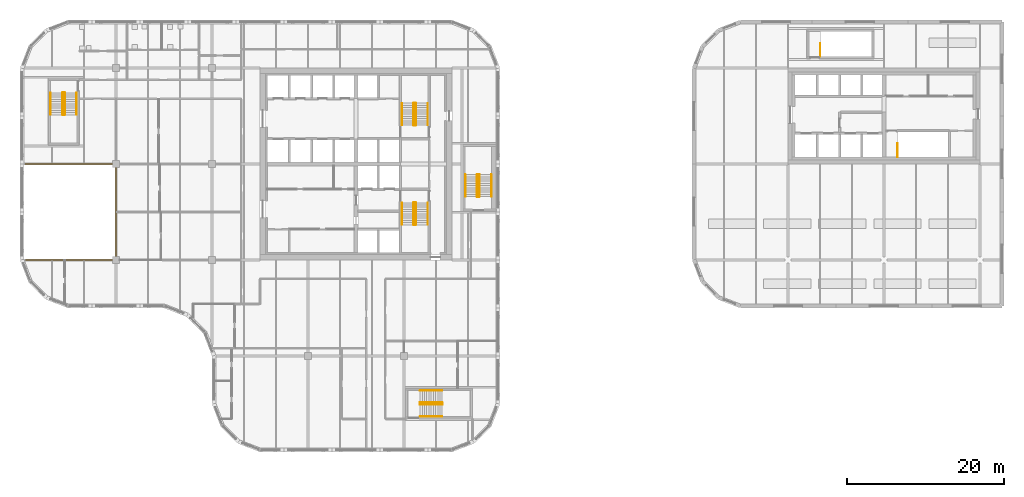
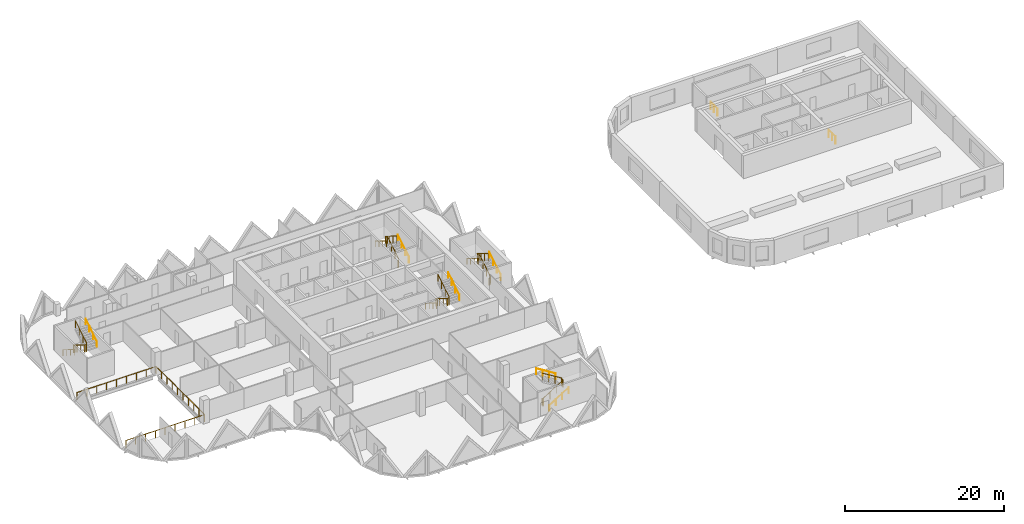
# One storey, part 15 of 17: 18 railings.
"""IFC4 building model written with IfcOpenShell, lengths in metres."""

from ifc_helpers import new_model, si_unit, direction, frame, origin, origin_2d, place, context, subcontext, project, spatial, circle, extrude, material, type_object, element, save


model = new_model("IFC4")

# Units and contexts
model_context = context("Model", 3, precision=1e-05, world=origin(), true_north=direction((0.0, 1.0)))
body_context = subcontext(model_context, "Body", "Model", "MODEL_VIEW")
ifc_project = project(units=[si_unit("LENGTHUNIT", "METRE"), si_unit("AREAUNIT", "SQUARE_METRE"), si_unit("VOLUMEUNIT", "CUBIC_METRE"), si_unit("PLANEANGLEUNIT", "RADIAN"), si_unit("MASSUNIT", "GRAM", prefix="KILO")], contexts=[model_context])

# Site, building, storey
site_placement = place(None, origin())
site = spatial("IfcSite", under=ifc_project, at=site_placement, CompositionType="ELEMENT")
building_placement = place(site_placement, origin())
building = spatial("IfcBuilding", under=site, at=building_placement, Name="Tessera Gate Towers", CompositionType="ELEMENT")
storey_placement = place(building_placement, frame((0.0, 0.0, 112.60009765625)))
storey = spatial("IfcBuildingStorey", under=building, at=storey_placement, Name="L27", CompositionType="ELEMENT", Elevation=112.60009765625)

# Railings
ifc_material_1 = material(Name="Toughened glass with stainless steel handrail", Category="steel")
railing_type_1 = type_object("IfcRailingType", Name="GUARD 1100 GLASS BALUSTRADE", PredefinedType="GUARDRAIL", material=ifc_material_1)
railing_1_placement = place(storey_placement, frame((0.750244140625, 24.39990234375, 0.0)))
element("IfcRailing", 1, at=railing_1_placement, inside=storey, type_object=railing_type_1, Name="Guard", PredefinedType="GUARDRAIL", context=body_context, shape_type="SweptSolid", body=[
    extrude(circle(Radius=0.02490234375, at=origin_2d()), frame((0.0, 0.0, 1.0751953125), z_axis=(1.0, 0.0, 0.0), x_axis=(0.0, 1.0, 0.0)), (0.0, 0.0, 1.0), 11.44970703125),
    extrude(circle(Radius=0.02490234375, at=origin_2d()), frame((11.44970703125, 0.0, 1.0751953125), z_axis=(0.0, 1.0, 0.0), x_axis=(-1.0, 0.0, 0.0)), (0.0, 0.0, 1.0), 12.2001953125),
    extrude(circle(Radius=0.02490234375, at=origin_2d()), frame((11.44970703125, 12.2001953125, 1.0751953125), z_axis=(-1.0, 0.0, 0.0), x_axis=(0.0, -1.0, 0.0)), (0.0, 0.0, 1.0), 11.5),
    extrude(circle(Radius=0.02490234375, at=origin_2d()), origin(), (0.0, 0.0, 1.0), 1.050048828125),
    extrude(circle(Radius=0.02490234375, at=origin_2d()), frame((1.43115234375, 0.0, 0.0)), (0.0, 0.0, 1.0), 1.050048828125),
    extrude(circle(Radius=0.02490234375, at=origin_2d()), frame((2.8623046875, 0.0, 0.0)), (0.0, 0.0, 1.0), 1.050048828125),
    extrude(circle(Radius=0.02490234375, at=origin_2d()), frame((4.293701171875, 0.0, 0.0)), (0.0, 0.0, 1.0), 1.050048828125),
    extrude(circle(Radius=0.02490234375, at=origin_2d()), frame((5.724853515625, 0.0, 0.0)), (0.0, 0.0, 1.0), 1.050048828125),
    extrude(circle(Radius=0.02490234375, at=origin_2d()), frame((7.156005859375, 0.0, 0.0)), (0.0, 0.0, 1.0), 1.050048828125),
    extrude(circle(Radius=0.02490234375, at=origin_2d()), frame((8.58740234375, 0.0, 0.0)), (0.0, 0.0, 1.0), 1.050048828125),
    extrude(circle(Radius=0.02490234375, at=origin_2d()), frame((10.0185546875, 0.0, 0.0)), (0.0, 0.0, 1.0), 1.050048828125),
    extrude(circle(Radius=0.02490234375, at=origin_2d()), frame((11.44970703125, 0.0, 0.0)), (0.0, 0.0, 1.0), 1.050048828125),
    extrude(circle(Radius=0.02490234375, at=origin_2d()), frame((11.44970703125, 1.35546875, 0.0)), (0.0, 0.0, 1.0), 1.050048828125),
    extrude(circle(Radius=0.02490234375, at=origin_2d()), frame((11.44970703125, 2.711181640625, 0.0)), (0.0, 0.0, 1.0), 1.050048828125),
    extrude(circle(Radius=0.02490234375, at=origin_2d()), frame((11.44970703125, 4.066650390625, 0.0)), (0.0, 0.0, 1.0), 1.050048828125),
    extrude(circle(Radius=0.02490234375, at=origin_2d()), frame((11.44970703125, 5.42236328125, 0.0)), (0.0, 0.0, 1.0), 1.050048828125),
    extrude(circle(Radius=0.02490234375, at=origin_2d()), frame((11.44970703125, 6.77783203125, 0.0)), (0.0, 0.0, 1.0), 1.050048828125),
    extrude(circle(Radius=0.02490234375, at=origin_2d()), frame((11.44970703125, 8.133544921875, 0.0)), (0.0, 0.0, 1.0), 1.050048828125),
    extrude(circle(Radius=0.02490234375, at=origin_2d()), frame((11.44970703125, 9.489013671875, 0.0)), (0.0, 0.0, 1.0), 1.050048828125),
    extrude(circle(Radius=0.02490234375, at=origin_2d()), frame((11.44970703125, 10.8447265625, 0.0)), (0.0, 0.0, 1.0), 1.050048828125),
    extrude(circle(Radius=0.02490234375, at=origin_2d()), frame((11.44970703125, 12.2001953125, 0.0)), (0.0, 0.0, 1.0), 1.050048828125),
    extrude(circle(Radius=0.02490234375, at=origin_2d()), frame((10.01220703125, 12.2001953125, 0.0)), (0.0, 0.0, 1.0), 1.050048828125),
    extrude(circle(Radius=0.02490234375, at=origin_2d()), frame((8.57470703125, 12.2001953125, 0.0)), (0.0, 0.0, 1.0), 1.050048828125),
    extrude(circle(Radius=0.02490234375, at=origin_2d()), frame((7.13720703125, 12.2001953125, 0.0)), (0.0, 0.0, 1.0), 1.050048828125),
    extrude(circle(Radius=0.02490234375, at=origin_2d()), frame((5.69970703125, 12.2001953125, 0.0)), (0.0, 0.0, 1.0), 1.050048828125),
    extrude(circle(Radius=0.02490234375, at=origin_2d()), frame((4.26220703125, 12.2001953125, 0.0)), (0.0, 0.0, 1.0), 1.050048828125),
    extrude(circle(Radius=0.02490234375, at=origin_2d()), frame((2.82470703125, 12.2001953125, 0.0)), (0.0, 0.0, 1.0), 1.050048828125),
    extrude(circle(Radius=0.02490234375, at=origin_2d()), frame((1.38720703125, 12.2001953125, 0.0)), (0.0, 0.0, 1.0), 1.050048828125),
    extrude(circle(Radius=0.02490234375, at=origin_2d()), frame((-0.05029296875, 12.2001953125, 0.0)), (0.0, 0.0, 1.0), 1.050048828125),
])
ifc_material_2 = material(Name="Steel 350W", Category="steel")
railing_type_2 = type_object("IfcRailingType", Name="STAIR GUARD 1100", PredefinedType="GUARDRAIL", material=ifc_material_2)
railing_2_placement = place(storey_placement, frame((50.27490234375, 31.72509765625, 0.0)))
element("IfcRailing", 2, at=railing_2_placement, inside=storey, type_object=railing_type_2, Name="L27 ST1 stair guard 1", PredefinedType="GUARDRAIL", context=body_context, shape_type="SweptSolid", body=[
    extrude(circle(Radius=0.02392578125, at=origin_2d()), frame((0.0, 0.0, 1.076171875), z_axis=(-1.0, 0.0, 0.0), x_axis=(0.0, -1.0, 0.0)), (0.0, 0.0, 1.0), 0.199951171875),
    extrude(circle(Radius=0.02392578125, at=origin_2d()), frame((-0.199951171875, 0.0, 1.076171875), z_axis=(-0.268277960024, -0.268277960024, 0.925231793839), x_axis=(0.707106781187, -0.707106781187, 0.0)), (0.0, 0.0, 1.0), 0.1865234375),
    extrude(circle(Radius=0.02392578125, at=origin_2d()), frame((-0.25, -0.050048828125, 1.24853515625), z_axis=(0.0, -0.851089632645, 0.525020415988), x_axis=(1.0, 0.0, 0.0)), (0.0, 0.0, 1.0), 3.2900390625),
    extrude(circle(Radius=0.02392578125, at=origin_2d()), frame((-0.25, -2.85009765625, 2.97607421875), z_axis=(0.707106781187, -0.707106781187, 0.0), x_axis=(0.707106781187, 0.707106781187, 0.0)), (0.0, 0.0, 1.0), 0.07080078125),
    extrude(circle(Radius=0.02392578125, at=origin_2d()), frame((-0.199951171875, -2.900146484375, 2.97607421875), z_axis=(1.0, 0.0, 0.0), x_axis=(0.0, 1.0, 0.0)), (0.0, 0.0, 1.0), 0.199951171875),
    extrude(circle(Radius=0.02392578125, at=origin_2d()), frame((0.0, -2.900146484375, 2.97607421875), z_axis=(0.268277960024, 0.268277960024, 0.925231793839), x_axis=(-0.707106781187, 0.707106781187, 0.0)), (0.0, 0.0, 1.0), 0.1865234375),
    extrude(circle(Radius=0.02392578125, at=origin_2d()), frame((0.050048828125, -2.85009765625, 3.1484375), z_axis=(0.0, 0.851089632645, 0.525020415988), x_axis=(-1.0, 0.0, 0.0)), (0.0, 0.0, 1.0), 3.2900390625),
    extrude(circle(Radius=0.02099609375, at=origin_2d()), origin(), (0.0, 0.0, 1.0), 1.052001953125),
    extrude(circle(Radius=0.02099609375, at=origin_2d()), frame((-0.199951171875, 0.0, 0.0)), (0.0, 0.0, 1.0), 1.052001953125),
    extrude(circle(Radius=0.02099609375, at=origin_2d()), frame((-0.25, -0.050048828125, 0.172607421875)), (0.0, 0.0, 1.0), 1.052001953125),
    extrude(circle(Radius=0.02099609375, at=origin_2d()), frame((-0.25, -0.9833984375, 0.748291015625)), (0.0, 0.0, 1.0), 1.052001953125),
    extrude(circle(Radius=0.02099609375, at=origin_2d()), frame((-0.25, -1.916748046875, 1.32421875)), (0.0, 0.0, 1.0), 1.052001953125),
    extrude(circle(Radius=0.02099609375, at=origin_2d()), frame((-0.25, -2.85009765625, 1.89990234375)), (0.0, 0.0, 1.0), 1.052001953125),
    extrude(circle(Radius=0.02099609375, at=origin_2d()), frame((-0.199951171875, -2.900146484375, 1.89990234375)), (0.0, 0.0, 1.0), 1.052001953125),
    extrude(circle(Radius=0.02099609375, at=origin_2d()), frame((0.0, -2.900146484375, 1.89990234375)), (0.0, 0.0, 1.0), 1.052001953125),
    extrude(circle(Radius=0.02099609375, at=origin_2d()), frame((0.050048828125, -2.85009765625, 2.072509765625)), (0.0, 0.0, 1.0), 1.052001953125),
    extrude(circle(Radius=0.02099609375, at=origin_2d()), frame((0.050048828125, -1.916748046875, 2.648193359375)), (0.0, 0.0, 1.0), 1.052001953125),
    extrude(circle(Radius=0.02099609375, at=origin_2d()), frame((0.050048828125, -0.9833984375, 3.22412109375)), (0.0, 0.0, 1.0), 1.052001953125),
    extrude(circle(Radius=0.02099609375, at=origin_2d()), frame((0.050048828125, -0.050048828125, 3.7998046875)), (0.0, 0.0, 1.0), 1.052001953125),
])
railing_3_placement = place(storey_placement, frame((50.074951171875, 41.47509765625, 0.0)))
element("IfcRailing", 3, at=railing_3_placement, inside=storey, type_object=railing_type_2, Name="L27 ST2 stair guard 1", PredefinedType="GUARDRAIL", context=body_context, shape_type="SweptSolid", body=[
    extrude(circle(Radius=0.02392578125, at=origin_2d()), frame((0.0, 0.0, 1.076171875), z_axis=(1.0, 0.0, 0.0), x_axis=(0.0, 1.0, 0.0)), (0.0, 0.0, 1.0), 0.199951171875),
    extrude(circle(Radius=0.02392578125, at=origin_2d()), frame((0.199951171875, 0.0, 1.076171875), z_axis=(0.268371968888, 0.267062837333, 0.925556009775), x_axis=(-0.705375805398, 0.708833529934, 0.0)), (0.0, 0.0, 1.0), 0.1865234375),
    extrude(circle(Radius=0.02392578125, at=origin_2d()), frame((0.25, 0.0498046875, 1.24853515625), z_axis=(0.0, 0.851089632645, 0.525020415988), x_axis=(-1.0, 0.0, 0.0)), (0.0, 0.0, 1.0), 3.2900390625),
    extrude(circle(Radius=0.02392578125, at=origin_2d()), frame((0.25, 2.849853515625, 2.97607421875), z_axis=(-0.707106781187, 0.707106781187, 0.0), x_axis=(-0.707106781187, -0.707106781187, 0.0)), (0.0, 0.0, 1.0), 0.07080078125),
    extrude(circle(Radius=0.02392578125, at=origin_2d()), frame((0.199951171875, 2.89990234375, 2.97607421875), z_axis=(-1.0, 0.0, 0.0), x_axis=(0.0, -1.0, 0.0)), (0.0, 0.0, 1.0), 0.199951171875),
    extrude(circle(Radius=0.02392578125, at=origin_2d()), frame((0.0, 2.89990234375, 2.97607421875), z_axis=(-0.268277960024, -0.268277960024, 0.925231793839), x_axis=(0.707106781187, -0.707106781187, 0.0)), (0.0, 0.0, 1.0), 0.1865234375),
    extrude(circle(Radius=0.02392578125, at=origin_2d()), frame((-0.050048828125, 2.849853515625, 3.1484375), z_axis=(0.0, -0.851089632645, 0.525020415988), x_axis=(1.0, 0.0, 0.0)), (0.0, 0.0, 1.0), 3.2900390625),
    extrude(circle(Radius=0.02099609375, at=origin_2d()), origin(), (0.0, 0.0, 1.0), 1.052001953125),
    extrude(circle(Radius=0.02099609375, at=origin_2d()), frame((0.199951171875, 0.0, 0.0)), (0.0, 0.0, 1.0), 1.052001953125),
    extrude(circle(Radius=0.02099609375, at=origin_2d()), frame((0.25, 0.0498046875, 0.172607421875)), (0.0, 0.0, 1.0), 1.052001953125),
    extrude(circle(Radius=0.02099609375, at=origin_2d()), frame((0.25, 0.983154296875, 0.748291015625)), (0.0, 0.0, 1.0), 1.052001953125),
    extrude(circle(Radius=0.02099609375, at=origin_2d()), frame((0.25, 1.91650390625, 1.32421875)), (0.0, 0.0, 1.0), 1.052001953125),
    extrude(circle(Radius=0.02099609375, at=origin_2d()), frame((0.25, 2.849853515625, 1.89990234375)), (0.0, 0.0, 1.0), 1.052001953125),
    extrude(circle(Radius=0.02099609375, at=origin_2d()), frame((0.199951171875, 2.89990234375, 1.89990234375)), (0.0, 0.0, 1.0), 1.052001953125),
    extrude(circle(Radius=0.02099609375, at=origin_2d()), frame((0.0, 2.89990234375, 1.89990234375)), (0.0, 0.0, 1.0), 1.052001953125),
    extrude(circle(Radius=0.02099609375, at=origin_2d()), frame((-0.050048828125, 2.849853515625, 2.072509765625)), (0.0, 0.0, 1.0), 1.052001953125),
    extrude(circle(Radius=0.02099609375, at=origin_2d()), frame((-0.050048828125, 1.91650390625, 2.648193359375)), (0.0, 0.0, 1.0), 1.052001953125),
    extrude(circle(Radius=0.02099609375, at=origin_2d()), frame((-0.050048828125, 0.983154296875, 3.22412109375)), (0.0, 0.0, 1.0), 1.052001953125),
    extrude(circle(Radius=0.02099609375, at=origin_2d()), frame((-0.050048828125, 0.0498046875, 3.7998046875)), (0.0, 0.0, 1.0), 1.052001953125),
])
railing_4_placement = place(storey_placement, frame((5.64990234375, 45.699951171875, 0.0)))
element("IfcRailing", 4, at=railing_4_placement, inside=storey, type_object=railing_type_2, Name="L27 ST3 stair guard 1", PredefinedType="GUARDRAIL", context=body_context, shape_type="SweptSolid", body=[
    extrude(circle(Radius=0.02392578125, at=origin_2d()), frame((0.0, 0.0, 1.076171875), z_axis=(-1.0, 0.0, 0.0), x_axis=(0.0, -1.0, 0.0)), (0.0, 0.0, 1.0), 0.199951171875),
    extrude(circle(Radius=0.02392578125, at=origin_2d()), frame((-0.199951171875, 0.0, 1.076171875), z_axis=(-0.268277960024, -0.268277960024, 0.925231793839), x_axis=(0.707106781187, -0.707106781187, 0.0)), (0.0, 0.0, 1.0), 0.1865234375),
    extrude(circle(Radius=0.02392578125, at=origin_2d()), frame((-0.25, -0.050048828125, 1.24853515625), z_axis=(0.0, -0.851069175582, 0.525053576669), x_axis=(1.0, 0.0, 0.0)), (0.0, 0.0, 1.0), 3.289794921875),
    extrude(circle(Radius=0.02392578125, at=origin_2d()), frame((-0.25, -2.849853515625, 2.97607421875), z_axis=(0.707106781187, -0.707106781187, 0.0), x_axis=(0.707106781187, 0.707106781187, 0.0)), (0.0, 0.0, 1.0), 0.07080078125),
    extrude(circle(Radius=0.02392578125, at=origin_2d()), frame((-0.199951171875, -2.89990234375, 2.97607421875), z_axis=(1.0, 0.0, 0.0), x_axis=(0.0, 1.0, 0.0)), (0.0, 0.0, 1.0), 0.199951171875),
    extrude(circle(Radius=0.02392578125, at=origin_2d()), frame((0.0, -2.89990234375, 2.97607421875), z_axis=(0.268277960024, 0.268277960024, 0.925231793839), x_axis=(-0.707106781187, 0.707106781187, 0.0)), (0.0, 0.0, 1.0), 0.1865234375),
    extrude(circle(Radius=0.02392578125, at=origin_2d()), frame((0.050048828125, -2.849853515625, 3.1484375), z_axis=(0.0, 0.851069175582, 0.525053576669), x_axis=(-1.0, 0.0, 0.0)), (0.0, 0.0, 1.0), 3.289794921875),
    extrude(circle(Radius=0.02099609375, at=origin_2d()), origin(), (0.0, 0.0, 1.0), 1.052001953125),
    extrude(circle(Radius=0.02099609375, at=origin_2d()), frame((-0.199951171875, 0.0, 0.0)), (0.0, 0.0, 1.0), 1.052001953125),
    extrude(circle(Radius=0.02099609375, at=origin_2d()), frame((-0.25, -0.050048828125, 0.172607421875)), (0.0, 0.0, 1.0), 1.052001953125),
    extrude(circle(Radius=0.02099609375, at=origin_2d()), frame((-0.25, -0.9833984375, 0.748291015625)), (0.0, 0.0, 1.0), 1.052001953125),
    extrude(circle(Radius=0.02099609375, at=origin_2d()), frame((-0.25, -1.91650390625, 1.32421875)), (0.0, 0.0, 1.0), 1.052001953125),
    extrude(circle(Radius=0.02099609375, at=origin_2d()), frame((-0.25, -2.849853515625, 1.89990234375)), (0.0, 0.0, 1.0), 1.052001953125),
    extrude(circle(Radius=0.02099609375, at=origin_2d()), frame((-0.199951171875, -2.89990234375, 1.89990234375)), (0.0, 0.0, 1.0), 1.052001953125),
    extrude(circle(Radius=0.02099609375, at=origin_2d()), frame((0.0, -2.89990234375, 1.89990234375)), (0.0, 0.0, 1.0), 1.052001953125),
    extrude(circle(Radius=0.02099609375, at=origin_2d()), frame((0.050048828125, -2.849853515625, 2.072509765625)), (0.0, 0.0, 1.0), 1.052001953125),
    extrude(circle(Radius=0.02099609375, at=origin_2d()), frame((0.050048828125, -1.91650390625, 2.648193359375)), (0.0, 0.0, 1.0), 1.052001953125),
    extrude(circle(Radius=0.02099609375, at=origin_2d()), frame((0.050048828125, -0.9833984375, 3.22412109375)), (0.0, 0.0, 1.0), 1.052001953125),
    extrude(circle(Radius=0.02099609375, at=origin_2d()), frame((0.050048828125, -0.050048828125, 3.7998046875)), (0.0, 0.0, 1.0), 1.052001953125),
])
railing_5_placement = place(storey_placement, frame((50.800048828125, 6.25, 0.0)))
element("IfcRailing", 5, at=railing_5_placement, inside=storey, type_object=railing_type_2, Name="L27 ST4 stair guard 1", PredefinedType="GUARDRAIL", context=body_context, shape_type="SweptSolid", body=[
    extrude(circle(Radius=0.02392578125, at=origin_2d()), frame((0.0, 0.0, 1.076171875), z_axis=(0.0, -1.0, 0.0), x_axis=(1.0, 0.0, 0.0)), (0.0, 0.0, 1.0), 0.199951171875),
    extrude(circle(Radius=0.02392578125, at=origin_2d()), frame((0.0, -0.199951171875, 1.076171875), z_axis=(0.268277960024, -0.268277960024, 0.925231793839), x_axis=(0.707106781187, 0.707106781187, 0.0)), (0.0, 0.0, 1.0), 0.1865234375),
    extrude(circle(Radius=0.02392578125, at=origin_2d()), frame((0.050048828125, -0.25, 1.24853515625), z_axis=(0.851069175582, 0.0, 0.525053576669), x_axis=(0.0, 1.0, 0.0)), (0.0, 0.0, 1.0), 3.289794921875),
    extrude(circle(Radius=0.02392578125, at=origin_2d()), frame((2.849853515625, -0.25, 2.97607421875), z_axis=(0.707106781187, 0.707106781187, 0.0), x_axis=(-0.707106781187, 0.707106781187, 0.0)), (0.0, 0.0, 1.0), 0.07080078125),
    extrude(circle(Radius=0.02392578125, at=origin_2d()), frame((2.89990234375, -0.199951171875, 2.97607421875), z_axis=(0.0, 1.0, 0.0), x_axis=(-1.0, 0.0, 0.0)), (0.0, 0.0, 1.0), 0.199951171875),
    extrude(circle(Radius=0.02392578125, at=origin_2d()), frame((2.89990234375, 0.0, 2.97607421875), z_axis=(-0.268277960024, 0.268277960024, 0.925231793839), x_axis=(-0.707106781187, -0.707106781187, 0.0)), (0.0, 0.0, 1.0), 0.1865234375),
    extrude(circle(Radius=0.02392578125, at=origin_2d()), frame((2.849853515625, 0.050048828125, 3.1484375), z_axis=(-0.851069175582, 0.0, 0.525053576669), x_axis=(0.0, -1.0, 0.0)), (0.0, 0.0, 1.0), 3.289794921875),
    extrude(circle(Radius=0.02099609375, at=origin_2d()), origin(), (0.0, 0.0, 1.0), 1.052001953125),
    extrude(circle(Radius=0.02099609375, at=origin_2d()), frame((0.0, -0.199951171875, 0.0)), (0.0, 0.0, 1.0), 1.052001953125),
    extrude(circle(Radius=0.02099609375, at=origin_2d()), frame((0.050048828125, -0.25, 0.172607421875)), (0.0, 0.0, 1.0), 1.052001953125),
    extrude(circle(Radius=0.02099609375, at=origin_2d()), frame((0.9833984375, -0.25, 0.748291015625)), (0.0, 0.0, 1.0), 1.052001953125),
    extrude(circle(Radius=0.02099609375, at=origin_2d()), frame((1.91650390625, -0.25, 1.32421875)), (0.0, 0.0, 1.0), 1.052001953125),
    extrude(circle(Radius=0.02099609375, at=origin_2d()), frame((2.849853515625, -0.25, 1.89990234375)), (0.0, 0.0, 1.0), 1.052001953125),
    extrude(circle(Radius=0.02099609375, at=origin_2d()), frame((2.89990234375, -0.199951171875, 1.89990234375)), (0.0, 0.0, 1.0), 1.052001953125),
    extrude(circle(Radius=0.02099609375, at=origin_2d()), frame((2.89990234375, 0.0, 1.89990234375)), (0.0, 0.0, 1.0), 1.052001953125),
    extrude(circle(Radius=0.02099609375, at=origin_2d()), frame((2.849853515625, 0.050048828125, 2.072509765625)), (0.0, 0.0, 1.0), 1.052001953125),
    extrude(circle(Radius=0.02099609375, at=origin_2d()), frame((1.91650390625, 0.050048828125, 2.648193359375)), (0.0, 0.0, 1.0), 1.052001953125),
    extrude(circle(Radius=0.02099609375, at=origin_2d()), frame((0.9833984375, 0.050048828125, 3.22412109375)), (0.0, 0.0, 1.0), 1.052001953125),
    extrude(circle(Radius=0.02099609375, at=origin_2d()), frame((0.050048828125, 0.050048828125, 3.7998046875)), (0.0, 0.0, 1.0), 1.052001953125),
])
railing_6_placement = place(storey_placement, frame((58.14990234375, 32.39990234375, 0.0)))
element("IfcRailing", 6, at=railing_6_placement, inside=storey, type_object=railing_type_2, Name="L27 ST5 stair guard 1", PredefinedType="GUARDRAIL", context=body_context, shape_type="SweptSolid", body=[
    extrude(circle(Radius=0.02392578125, at=origin_2d()), frame((0.0, 0.0, 1.076171875), z_axis=(1.0, 0.0, 0.0), x_axis=(0.0, 1.0, 0.0)), (0.0, 0.0, 1.0), 0.2001953125),
    extrude(circle(Radius=0.02392578125, at=origin_2d()), frame((0.2001953125, 0.0, 1.076171875), z_axis=(0.267062837333, 0.268371968888, 0.925556009775), x_axis=(-0.708833529934, 0.705375805398, 0.0)), (0.0, 0.0, 1.0), 0.1865234375),
    extrude(circle(Radius=0.02392578125, at=origin_2d()), frame((0.25, 0.050048828125, 1.24853515625), z_axis=(0.0, 0.851089632645, 0.525020415988), x_axis=(-1.0, 0.0, 0.0)), (0.0, 0.0, 1.0), 3.2900390625),
    extrude(circle(Radius=0.02392578125, at=origin_2d()), frame((0.25, 2.85009765625, 2.97607421875), z_axis=(-0.705375805398, 0.708833529934, 0.0), x_axis=(-0.708833529934, -0.705375805398, 0.0)), (0.0, 0.0, 1.0), 0.070556640625),
    extrude(circle(Radius=0.02392578125, at=origin_2d()), frame((0.2001953125, 2.900146484375, 2.97607421875), z_axis=(-1.0, 0.0, 0.0), x_axis=(0.0, -1.0, 0.0)), (0.0, 0.0, 1.0), 0.2001953125),
    extrude(circle(Radius=0.02392578125, at=origin_2d()), frame((0.0, 2.900146484375, 2.97607421875), z_axis=(-0.267062837333, -0.268371968888, 0.925556009775), x_axis=(0.708833529934, -0.705375805398, 0.0)), (0.0, 0.0, 1.0), 0.1865234375),
    extrude(circle(Radius=0.02392578125, at=origin_2d()), frame((-0.0498046875, 2.85009765625, 3.1484375), z_axis=(0.0, -0.851089632645, 0.525020415988), x_axis=(1.0, 0.0, 0.0)), (0.0, 0.0, 1.0), 3.2900390625),
    extrude(circle(Radius=0.02099609375, at=origin_2d()), origin(), (0.0, 0.0, 1.0), 1.052001953125),
    extrude(circle(Radius=0.02099609375, at=origin_2d()), frame((0.2001953125, 0.0, 0.0)), (0.0, 0.0, 1.0), 1.052001953125),
    extrude(circle(Radius=0.02099609375, at=origin_2d()), frame((0.25, 0.050048828125, 0.172607421875)), (0.0, 0.0, 1.0), 1.052001953125),
    extrude(circle(Radius=0.02099609375, at=origin_2d()), frame((0.25, 0.9833984375, 0.748291015625)), (0.0, 0.0, 1.0), 1.052001953125),
    extrude(circle(Radius=0.02099609375, at=origin_2d()), frame((0.25, 1.916748046875, 1.32421875)), (0.0, 0.0, 1.0), 1.052001953125),
    extrude(circle(Radius=0.02099609375, at=origin_2d()), frame((0.25, 2.85009765625, 1.89990234375)), (0.0, 0.0, 1.0), 1.052001953125),
    extrude(circle(Radius=0.02099609375, at=origin_2d()), frame((0.2001953125, 2.900146484375, 1.89990234375)), (0.0, 0.0, 1.0), 1.052001953125),
    extrude(circle(Radius=0.02099609375, at=origin_2d()), frame((0.0, 2.900146484375, 1.89990234375)), (0.0, 0.0, 1.0), 1.052001953125),
    extrude(circle(Radius=0.02099609375, at=origin_2d()), frame((-0.0498046875, 2.85009765625, 2.072509765625)), (0.0, 0.0, 1.0), 1.052001953125),
    extrude(circle(Radius=0.02099609375, at=origin_2d()), frame((-0.0498046875, 1.916748046875, 2.648193359375)), (0.0, 0.0, 1.0), 1.052001953125),
    extrude(circle(Radius=0.02099609375, at=origin_2d()), frame((-0.0498046875, 0.9833984375, 3.22412109375)), (0.0, 0.0, 1.0), 1.052001953125),
    extrude(circle(Radius=0.02099609375, at=origin_2d()), frame((-0.0498046875, 0.050048828125, 3.7998046875)), (0.0, 0.0, 1.0), 1.052001953125),
])
for number, where, name in (
    (7, (111.5, 37.5, 0.0), "L27 ST6 top well guard 1"),
    (8, (101.699951171875, 50.25, 0.0), "L27 ST7 top well guard 1"),
):
    element("IfcRailing", number, at=place(storey_placement, frame(where)), inside=storey, type_object=railing_type_2, Name=name, PredefinedType="GUARDRAIL", context=body_context, shape_type="SweptSolid", body=[
        extrude(circle(Radius=0.02392578125, at=origin_2d()), frame((0.0, 0.0, 1.076171875), z_axis=(0.0, 1.0, 0.0), x_axis=(-1.0, 0.0, 0.0)), (0.0, 0.0, 1.0), 1.699951171875),
        extrude(circle(Radius=0.02099609375, at=origin_2d()), origin(), (0.0, 0.0, 1.0), 1.052001953125),
        extrude(circle(Radius=0.02099609375, at=origin_2d()), frame((0.0, 0.85009765625, 0.0)), (0.0, 0.0, 1.0), 1.052001953125),
        extrude(circle(Radius=0.02099609375, at=origin_2d()), frame((0.0, 1.699951171875, 0.0)), (0.0, 0.0, 1.0), 1.052001953125),
    ])
ifc_material_3 = material(Name="Steel 350W", Category="steel")
railing_type_3 = type_object("IfcRailingType", Name="STAIR HANDRAIL 900", PredefinedType="HANDRAIL", material=ifc_material_3)
railing_7_placement = place(storey_placement, frame((48.52490234375, 31.675048828125, 0.172607421875)))
element("IfcRailing", 9, at=railing_7_placement, inside=storey, type_object=railing_type_3, Name="L27 ST1 stair handrail 1", PredefinedType="HANDRAIL", context=body_context, shape_type="SweptSolid", body=[
    extrude(circle(Radius=0.02392578125, at=origin_2d()), frame((0.0, 0.0, 0.8759765625), z_axis=(0.0, -0.851089632645, 0.525020415988), x_axis=(1.0, 0.0, 0.0)), (0.0, 0.0, 1.0), 3.2900390625),
    extrude(circle(Radius=0.02099609375, at=origin_2d()), origin(), (0.0, 0.0, 1.0), 0.851806640625),
    extrude(circle(Radius=0.02099609375, at=origin_2d()), frame((0.0, -0.933349609375, 0.57568359375)), (0.0, 0.0, 1.0), 0.851806640625),
    extrude(circle(Radius=0.02099609375, at=origin_2d()), frame((0.0, -1.86669921875, 1.151611328125)), (0.0, 0.0, 1.0), 0.851806640625),
    extrude(circle(Radius=0.02099609375, at=origin_2d()), frame((0.0, -2.800048828125, 1.727294921875)), (0.0, 0.0, 1.0), 0.851806640625),
])
for number, where, name in (
    (10, (51.824951171875, 28.875, 2.072509765625), "L27 ST1 stair handrail 2"),
    (11, (51.824951171875, 41.52490234375, 0.172607421875), "L27 ST2 stair handrail 1"),
):
    element("IfcRailing", number, at=place(storey_placement, frame(where)), inside=storey, type_object=railing_type_3, Name=name, PredefinedType="HANDRAIL", context=body_context, shape_type="SweptSolid", body=[
        extrude(circle(Radius=0.02392578125, at=origin_2d()), frame((0.0, 0.0, 0.8759765625), z_axis=(0.0, 0.851089632645, 0.525020415988), x_axis=(-1.0, 0.0, 0.0)), (0.0, 0.0, 1.0), 3.2900390625),
        extrude(circle(Radius=0.02099609375, at=origin_2d()), origin(), (0.0, 0.0, 1.0), 0.851806640625),
        extrude(circle(Radius=0.02099609375, at=origin_2d()), frame((0.0, 0.933349609375, 0.57568359375)), (0.0, 0.0, 1.0), 0.851806640625),
        extrude(circle(Radius=0.02099609375, at=origin_2d()), frame((0.0, 1.86669921875, 1.151611328125)), (0.0, 0.0, 1.0), 0.851806640625),
        extrude(circle(Radius=0.02099609375, at=origin_2d()), frame((0.0, 2.800048828125, 1.727294921875)), (0.0, 0.0, 1.0), 0.851806640625),
    ])
railing_8_placement = place(storey_placement, frame((48.52490234375, 44.324951171875, 2.072509765625)))
element("IfcRailing", 12, at=railing_8_placement, inside=storey, type_object=railing_type_3, Name="L27 ST2 stair handrail 2", PredefinedType="HANDRAIL", context=body_context, shape_type="SweptSolid", body=[
    extrude(circle(Radius=0.02392578125, at=origin_2d()), frame((0.0, 0.0, 0.8759765625), z_axis=(0.0, -0.851089632645, 0.525020415988), x_axis=(1.0, 0.0, 0.0)), (0.0, 0.0, 1.0), 3.2900390625),
    extrude(circle(Radius=0.02099609375, at=origin_2d()), origin(), (0.0, 0.0, 1.0), 0.851806640625),
    extrude(circle(Radius=0.02099609375, at=origin_2d()), frame((0.0, -0.933349609375, 0.57568359375)), (0.0, 0.0, 1.0), 0.851806640625),
    extrude(circle(Radius=0.02099609375, at=origin_2d()), frame((0.0, -1.86669921875, 1.151611328125)), (0.0, 0.0, 1.0), 0.851806640625),
    extrude(circle(Radius=0.02099609375, at=origin_2d()), frame((0.0, -2.800048828125, 1.727294921875)), (0.0, 0.0, 1.0), 0.851806640625),
])
railing_9_placement = place(storey_placement, frame((3.89990234375, 45.64990234375, 0.172607421875)))
element("IfcRailing", 13, at=railing_9_placement, inside=storey, type_object=railing_type_3, Name="L27 ST3 stair handrail 1", PredefinedType="HANDRAIL", context=body_context, shape_type="SweptSolid", body=[
    extrude(circle(Radius=0.02392578125, at=origin_2d()), frame((0.0, 0.0, 0.8759765625), z_axis=(0.0, -0.851069175582, 0.525053576669), x_axis=(1.0, 0.0, 0.0)), (0.0, 0.0, 1.0), 3.289794921875),
    extrude(circle(Radius=0.02099609375, at=origin_2d()), origin(), (0.0, 0.0, 1.0), 0.851806640625),
    extrude(circle(Radius=0.02099609375, at=origin_2d()), frame((0.0, -0.933349609375, 0.57568359375)), (0.0, 0.0, 1.0), 0.851806640625),
    extrude(circle(Radius=0.02099609375, at=origin_2d()), frame((0.0, -1.866455078125, 1.151611328125)), (0.0, 0.0, 1.0), 0.851806640625),
    extrude(circle(Radius=0.02099609375, at=origin_2d()), frame((0.0, -2.7998046875, 1.727294921875)), (0.0, 0.0, 1.0), 0.851806640625),
])
railing_10_placement = place(storey_placement, frame((7.199951171875, 42.85009765625, 2.072509765625)))
element("IfcRailing", 14, at=railing_10_placement, inside=storey, type_object=railing_type_3, Name="L27 ST3 stair handrail 2", PredefinedType="HANDRAIL", context=body_context, shape_type="SweptSolid", body=[
    extrude(circle(Radius=0.02392578125, at=origin_2d()), frame((0.0, 0.0, 0.8759765625), z_axis=(0.0, 0.851069175582, 0.525053576669), x_axis=(-1.0, 0.0, 0.0)), (0.0, 0.0, 1.0), 3.289794921875),
    extrude(circle(Radius=0.02099609375, at=origin_2d()), origin(), (0.0, 0.0, 1.0), 0.851806640625),
    extrude(circle(Radius=0.02099609375, at=origin_2d()), frame((0.0, 0.933349609375, 0.57568359375)), (0.0, 0.0, 1.0), 0.851806640625),
    extrude(circle(Radius=0.02099609375, at=origin_2d()), frame((0.0, 1.866455078125, 1.151611328125)), (0.0, 0.0, 1.0), 0.851806640625),
    extrude(circle(Radius=0.02099609375, at=origin_2d()), frame((0.0, 2.7998046875, 1.727294921875)), (0.0, 0.0, 1.0), 0.851806640625),
])
railing_11_placement = place(storey_placement, frame((50.85009765625, 4.5, 0.172607421875)))
element("IfcRailing", 15, at=railing_11_placement, inside=storey, type_object=railing_type_3, Name="L27 ST4 stair handrail 1", PredefinedType="HANDRAIL", context=body_context, shape_type="SweptSolid", body=[
    extrude(circle(Radius=0.02392578125, at=origin_2d()), frame((0.0, 0.0, 0.8759765625), z_axis=(0.851069175582, 0.0, 0.525053576669), x_axis=(0.0, 1.0, 0.0)), (0.0, 0.0, 1.0), 3.289794921875),
    extrude(circle(Radius=0.02099609375, at=origin_2d()), origin(), (0.0, 0.0, 1.0), 0.851806640625),
    extrude(circle(Radius=0.02099609375, at=origin_2d()), frame((0.933349609375, 0.0, 0.57568359375)), (0.0, 0.0, 1.0), 0.851806640625),
    extrude(circle(Radius=0.02099609375, at=origin_2d()), frame((1.866455078125, 0.0, 1.151611328125)), (0.0, 0.0, 1.0), 0.851806640625),
    extrude(circle(Radius=0.02099609375, at=origin_2d()), frame((2.7998046875, 0.0, 1.727294921875)), (0.0, 0.0, 1.0), 0.851806640625),
])
railing_12_placement = place(storey_placement, frame((53.64990234375, 7.800048828125, 2.072509765625)))
element("IfcRailing", 16, at=railing_12_placement, inside=storey, type_object=railing_type_3, Name="L27 ST4 stair handrail 2", PredefinedType="HANDRAIL", context=body_context, shape_type="SweptSolid", body=[
    extrude(circle(Radius=0.02392578125, at=origin_2d()), frame((0.0, 0.0, 0.8759765625), z_axis=(-0.851069175582, 0.0, 0.525053576669), x_axis=(0.0, -1.0, 0.0)), (0.0, 0.0, 1.0), 3.289794921875),
    extrude(circle(Radius=0.02099609375, at=origin_2d()), origin(), (0.0, 0.0, 1.0), 0.851806640625),
    extrude(circle(Radius=0.02099609375, at=origin_2d()), frame((-0.933349609375, 0.0, 0.57568359375)), (0.0, 0.0, 1.0), 0.851806640625),
    extrude(circle(Radius=0.02099609375, at=origin_2d()), frame((-1.866455078125, 0.0, 1.151611328125)), (0.0, 0.0, 1.0), 0.851806640625),
    extrude(circle(Radius=0.02099609375, at=origin_2d()), frame((-2.7998046875, 0.0, 1.727294921875)), (0.0, 0.0, 1.0), 0.851806640625),
])
railing_13_placement = place(storey_placement, frame((59.89990234375, 32.449951171875, 0.172607421875)))
element("IfcRailing", 17, at=railing_13_placement, inside=storey, type_object=railing_type_3, Name="L27 ST5 stair handrail 1", PredefinedType="HANDRAIL", context=body_context, shape_type="SweptSolid", body=[
    extrude(circle(Radius=0.02392578125, at=origin_2d()), frame((0.0, 0.0, 0.8759765625), z_axis=(0.0, 0.851089632645, 0.525020415988), x_axis=(-1.0, 0.0, 0.0)), (0.0, 0.0, 1.0), 3.2900390625),
    extrude(circle(Radius=0.02099609375, at=origin_2d()), origin(), (0.0, 0.0, 1.0), 0.851806640625),
    extrude(circle(Radius=0.02099609375, at=origin_2d()), frame((0.0, 0.933349609375, 0.57568359375)), (0.0, 0.0, 1.0), 0.851806640625),
    extrude(circle(Radius=0.02099609375, at=origin_2d()), frame((0.0, 1.86669921875, 1.151611328125)), (0.0, 0.0, 1.0), 0.851806640625),
    extrude(circle(Radius=0.02099609375, at=origin_2d()), frame((0.0, 2.800048828125, 1.727294921875)), (0.0, 0.0, 1.0), 0.851806640625),
])
railing_14_placement = place(storey_placement, frame((56.60009765625, 35.25, 2.072509765625)))
element("IfcRailing", 18, at=railing_14_placement, inside=storey, type_object=railing_type_3, Name="L27 ST5 stair handrail 2", PredefinedType="HANDRAIL", context=body_context, shape_type="SweptSolid", body=[
    extrude(circle(Radius=0.02392578125, at=origin_2d()), frame((0.0, 0.0, 0.8759765625), z_axis=(0.0, -0.851089632645, 0.525020415988), x_axis=(1.0, 0.0, 0.0)), (0.0, 0.0, 1.0), 3.2900390625),
    extrude(circle(Radius=0.02099609375, at=origin_2d()), origin(), (0.0, 0.0, 1.0), 0.851806640625),
    extrude(circle(Radius=0.02099609375, at=origin_2d()), frame((0.0, -0.933349609375, 0.57568359375)), (0.0, 0.0, 1.0), 0.851806640625),
    extrude(circle(Radius=0.02099609375, at=origin_2d()), frame((0.0, -1.86669921875, 1.151611328125)), (0.0, 0.0, 1.0), 0.851806640625),
    extrude(circle(Radius=0.02099609375, at=origin_2d()), frame((0.0, -2.800048828125, 1.727294921875)), (0.0, 0.0, 1.0), 0.851806640625),
])

save(model, "model.ifc")
